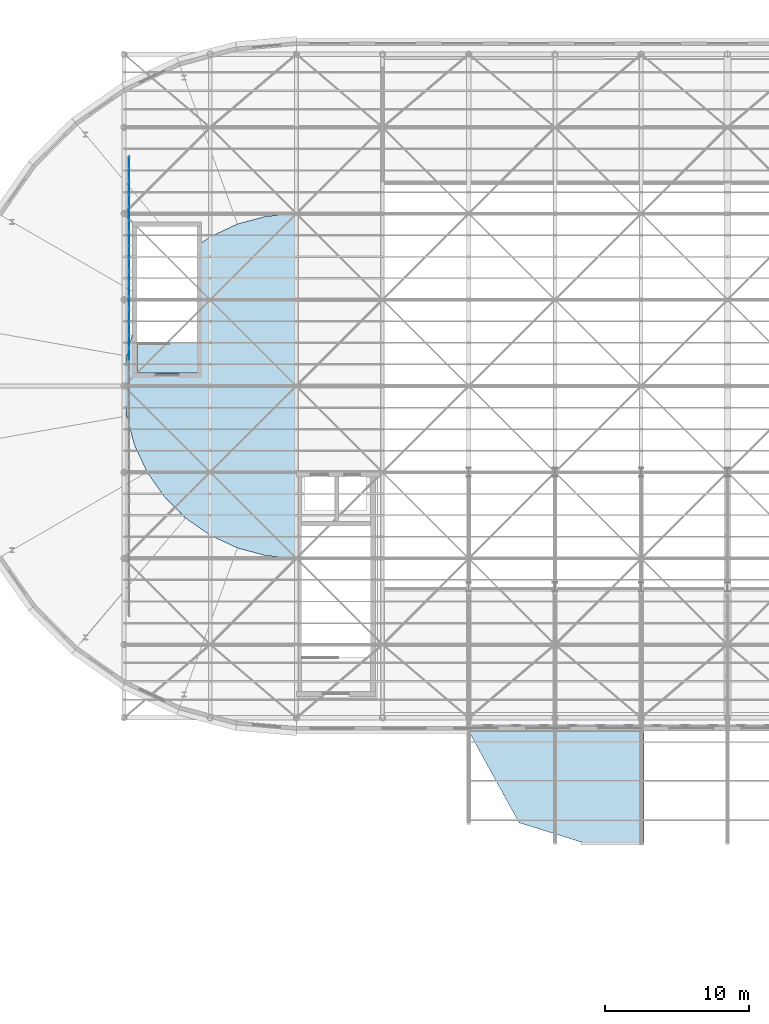
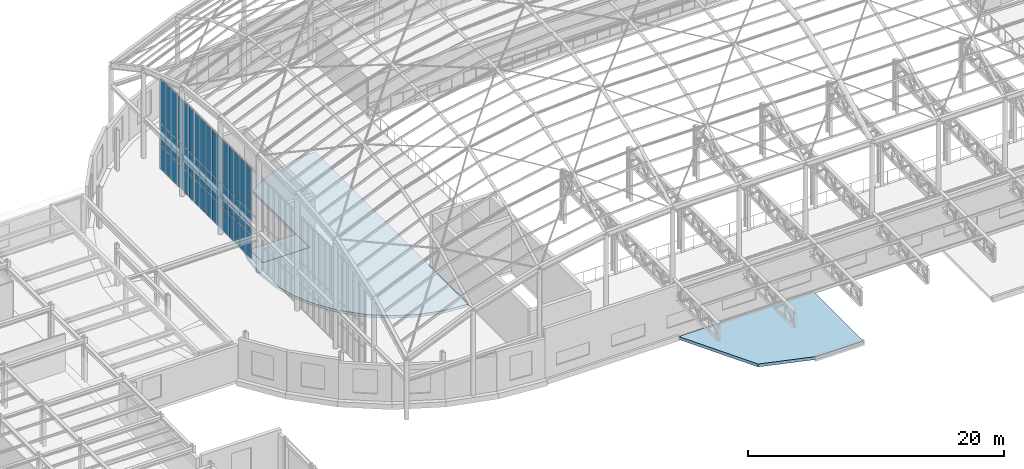
# One storey, part 53 of 75: 48 plates, 3 slabs, 6 elements without a shape of their own.
"""IFC4 building model written with IfcOpenShell, lengths in metres."""

from ifc_helpers import new_model, si_unit, direction, frame, origin, origin_2d, place, context, subcontext, project, spatial, polyline, rectangle, outline, extrude, material, layer, layer_set, type_object, element, aggregate, save


model = new_model("IFC4")

# Units and contexts
model_context = context("Model", 3, precision=1e-05, world=origin(), true_north=direction((0.0, 1.0)))
body_context = subcontext(model_context, "Body", "Model", "MODEL_VIEW")
ifc_project = project(units=[si_unit("LENGTHUNIT", "METRE"), si_unit("AREAUNIT", "SQUARE_METRE"), si_unit("VOLUMEUNIT", "CUBIC_METRE"), si_unit("PLANEANGLEUNIT", "RADIAN"), si_unit("MASSUNIT", "GRAM", prefix="KILO")], contexts=[model_context])

# Site, building, storey
site_placement = place(None, origin())
site = spatial("IfcSite", under=ifc_project, at=site_placement, CompositionType="ELEMENT")
building_placement = place(site_placement, origin())
building = spatial("IfcBuilding", under=site, at=building_placement, Name="Kolvaren Corner Interchange", CompositionType="ELEMENT")
storey_placement = place(building_placement, frame((0.0, 0.0, 10.5)))
storey = spatial("IfcBuildingStorey", under=building, at=storey_placement, Name="L03", CompositionType="ELEMENT", Elevation=10.5)

# Curtain wall, plates
ifc_material_1 = material(Name="Unitised Aluminium and Solar-Control Glass Curtain Wall", Category="aluminium")
curtain_wall_type = type_object("IfcCurtainWallType", Name="CW-V1-CLER", PredefinedType="NOTDEFINED", material=ifc_material_1)
curtain_wall_1_placement = place(storey_placement, origin())
curtain_wall_1 = element("IfcCurtainWall", 1, at=curtain_wall_1_placement, inside=storey, type_object=curtain_wall_type, Name="Gridshell West End Curtain Wall Bay 07", PredefinedType="NOTDEFINED")
ifc_material_2 = material(Name="Low-E Solar-Control Laminated Glass", Category="glass")
ifc_layer_1 = layer(ifc_material_2, 0.035888671875)
ifc_layer_set_1 = layer_set([ifc_layer_1], Name="Low-E Solar-Control Laminated Glass")
plate_type = type_object("IfcPlateType", Name="PLT-CW-GL32", PredefinedType="CURTAIN_PANEL", material=ifc_layer_set_1)
plate_1_placement = place(storey_placement, frame((48.35009765625, 50.204833984375, 0.06005859375), z_axis=(0.0, 0.0, 1.0), x_axis=(0.0, 1.0, 0.0)))
plate_1 = element("IfcPlate", 2, at=plate_1_placement, type_object=plate_type, Name="CW-088 panel 3.1", PredefinedType="CURTAIN_PANEL", context=body_context, shape_type="SweptSolid", body=[
    extrude(rectangle(XDim=0.783935546875, YDim=0.035888671875, at=origin_2d()), origin(), (0.0, 0.0, 1.0), 2.2099609375),
])
plate_2_placement = place(storey_placement, frame((48.35009765625, 50.204833984375, 2.330078125), z_axis=(0.0, 0.0, 1.0), x_axis=(0.0, 1.0, 0.0)))
plate_2 = element("IfcPlate", 3, at=plate_2_placement, type_object=plate_type, Name="CW-088 panel 3.2", PredefinedType="CURTAIN_PANEL", context=body_context, shape_type="SweptSolid", body=[
    extrude(rectangle(XDim=0.783935546875, YDim=0.035888671875, at=origin_2d()), origin(), (0.0, 0.0, 1.0), 2.0400390625),
])
plate_3_placement = place(storey_placement, frame((48.35009765625, 50.204833984375, 4.43017578125), z_axis=(0.0, 0.0, 1.0), x_axis=(0.0, 1.0, 0.0)))
plate_3 = element("IfcPlate", 4, at=plate_3_placement, type_object=plate_type, Name="CW-088 panel 3.3", PredefinedType="CURTAIN_PANEL", context=body_context, shape_type="SweptSolid", body=[
    extrude(rectangle(XDim=0.783935546875, YDim=0.035888671875, at=origin_2d()), origin(), (0.0, 0.0, 1.0), 4.281982421875),
])
aggregate(curtain_wall_1, [plate_1, plate_2, plate_3])

curtain_wall_2_placement = place(storey_placement, origin())
curtain_wall_2 = element("IfcCurtainWall", 5, at=curtain_wall_2_placement, inside=storey, type_object=curtain_wall_type, Name="Gridshell West End Curtain Wall Bay 08", PredefinedType="NOTDEFINED")
plate_4_placement = place(storey_placement, frame((48.35009765625, 51.128662109375, 0.06005859375), z_axis=(0.0, 0.0, 1.0), x_axis=(0.0, 1.0, 0.0)))
plate_4 = element("IfcPlate", 6, at=plate_4_placement, type_object=plate_type, Name="CW-089 panel 1.1", PredefinedType="CURTAIN_PANEL", context=body_context, shape_type="SweptSolid", body=[
    extrude(rectangle(XDim=0.783935546875, YDim=0.035888671875, at=origin_2d()), origin(), (0.0, 0.0, 1.0), 2.2099609375),
])
plate_5_placement = place(storey_placement, frame((48.35009765625, 51.128662109375, 2.330078125), z_axis=(0.0, 0.0, 1.0), x_axis=(0.0, 1.0, 0.0)))
plate_5 = element("IfcPlate", 7, at=plate_5_placement, type_object=plate_type, Name="CW-089 panel 1.2", PredefinedType="CURTAIN_PANEL", context=body_context, shape_type="SweptSolid", body=[
    extrude(rectangle(XDim=0.783935546875, YDim=0.035888671875, at=origin_2d()), origin(), (0.0, 0.0, 1.0), 2.0400390625),
])
plate_6_placement = place(storey_placement, frame((48.35009765625, 51.128662109375, 4.43017578125), z_axis=(0.0, 0.0, 1.0), x_axis=(0.0, 1.0, 0.0)))
plate_6 = element("IfcPlate", 8, at=plate_6_placement, type_object=plate_type, Name="CW-089 panel 1.3", PredefinedType="CURTAIN_PANEL", context=body_context, shape_type="SweptSolid", body=[
    extrude(rectangle(XDim=0.783935546875, YDim=0.035888671875, at=origin_2d()), origin(), (0.0, 0.0, 1.0), 4.281982421875),
])
plate_7_placement = place(storey_placement, frame((48.35009765625, 52.0, 0.06005859375), z_axis=(0.0, 0.0, 1.0), x_axis=(0.0, 1.0, 0.0)))
plate_7 = element("IfcPlate", 9, at=plate_7_placement, type_object=plate_type, Name="CW-089 panel 2.1", PredefinedType="CURTAIN_PANEL", context=body_context, shape_type="SweptSolid", body=[
    extrude(rectangle(XDim=0.81884765625, YDim=0.035888671875, at=origin_2d()), origin(), (0.0, 0.0, 1.0), 2.2099609375),
])
plate_8_placement = place(storey_placement, frame((48.35009765625, 52.0, 2.330078125), z_axis=(0.0, 0.0, 1.0), x_axis=(0.0, 1.0, 0.0)))
plate_8 = element("IfcPlate", 10, at=plate_8_placement, type_object=plate_type, Name="CW-089 panel 2.2", PredefinedType="CURTAIN_PANEL", context=body_context, shape_type="SweptSolid", body=[
    extrude(rectangle(XDim=0.81884765625, YDim=0.035888671875, at=origin_2d()), origin(), (0.0, 0.0, 1.0), 2.0400390625),
])
plate_9_placement = place(storey_placement, frame((48.35009765625, 52.0, 4.43017578125), z_axis=(0.0, 0.0, 1.0), x_axis=(0.0, 1.0, 0.0)))
plate_9 = element("IfcPlate", 11, at=plate_9_placement, type_object=plate_type, Name="CW-089 panel 2.3", PredefinedType="CURTAIN_PANEL", context=body_context, shape_type="SweptSolid", body=[
    extrude(rectangle(XDim=0.81884765625, YDim=0.035888671875, at=origin_2d()), origin(), (0.0, 0.0, 1.0), 4.281982421875),
])
plate_10_placement = place(storey_placement, frame((48.35009765625, 52.871337890625, 0.06005859375), z_axis=(0.0, 0.0, 1.0), x_axis=(0.0, 1.0, 0.0)))
plate_10 = element("IfcPlate", 12, at=plate_10_placement, type_object=plate_type, Name="CW-089 panel 3.1", PredefinedType="CURTAIN_PANEL", context=body_context, shape_type="SweptSolid", body=[
    extrude(rectangle(XDim=0.783935546875, YDim=0.035888671875, at=origin_2d()), origin(), (0.0, 0.0, 1.0), 2.2099609375),
])
plate_11_placement = place(storey_placement, frame((48.35009765625, 52.871337890625, 2.330078125), z_axis=(0.0, 0.0, 1.0), x_axis=(0.0, 1.0, 0.0)))
plate_11 = element("IfcPlate", 13, at=plate_11_placement, type_object=plate_type, Name="CW-089 panel 3.2", PredefinedType="CURTAIN_PANEL", context=body_context, shape_type="SweptSolid", body=[
    extrude(rectangle(XDim=0.783935546875, YDim=0.035888671875, at=origin_2d()), origin(), (0.0, 0.0, 1.0), 2.0400390625),
])
plate_12_placement = place(storey_placement, frame((48.35009765625, 52.871337890625, 4.43017578125), z_axis=(0.0, 0.0, 1.0), x_axis=(0.0, 1.0, 0.0)))
plate_12 = element("IfcPlate", 14, at=plate_12_placement, type_object=plate_type, Name="CW-089 panel 3.3", PredefinedType="CURTAIN_PANEL", context=body_context, shape_type="SweptSolid", body=[
    extrude(rectangle(XDim=0.783935546875, YDim=0.035888671875, at=origin_2d()), origin(), (0.0, 0.0, 1.0), 4.281982421875),
])
aggregate(curtain_wall_2, [plate_4, plate_5, plate_6, plate_7, plate_8, plate_9, plate_10, plate_11, plate_12])

curtain_wall_3_placement = place(storey_placement, origin())
curtain_wall_3 = element("IfcCurtainWall", 15, at=curtain_wall_3_placement, inside=storey, type_object=curtain_wall_type, Name="Gridshell West End Curtain Wall Bay 09", PredefinedType="NOTDEFINED")
plate_13_placement = place(storey_placement, frame((48.35009765625, 53.795166015625, 0.06005859375), z_axis=(0.0, 0.0, 1.0), x_axis=(0.0, 1.0, 0.0)))
plate_13 = element("IfcPlate", 16, at=plate_13_placement, type_object=plate_type, Name="CW-090 panel 1.1", PredefinedType="CURTAIN_PANEL", context=body_context, shape_type="SweptSolid", body=[
    extrude(rectangle(XDim=0.783935546875, YDim=0.035888671875, at=origin_2d()), origin(), (0.0, 0.0, 1.0), 2.2099609375),
])
plate_14_placement = place(storey_placement, frame((48.35009765625, 53.795166015625, 2.330078125), z_axis=(0.0, 0.0, 1.0), x_axis=(0.0, 1.0, 0.0)))
plate_14 = element("IfcPlate", 17, at=plate_14_placement, type_object=plate_type, Name="CW-090 panel 1.2", PredefinedType="CURTAIN_PANEL", context=body_context, shape_type="SweptSolid", body=[
    extrude(rectangle(XDim=0.783935546875, YDim=0.035888671875, at=origin_2d()), origin(), (0.0, 0.0, 1.0), 2.0400390625),
])
plate_15_placement = place(storey_placement, frame((48.35009765625, 53.795166015625, 4.43017578125), z_axis=(0.0, 0.0, 1.0), x_axis=(0.0, 1.0, 0.0)))
plate_15 = element("IfcPlate", 18, at=plate_15_placement, type_object=plate_type, Name="CW-090 panel 1.3", PredefinedType="CURTAIN_PANEL", context=body_context, shape_type="SweptSolid", body=[
    extrude(rectangle(XDim=0.783935546875, YDim=0.035888671875, at=origin_2d()), origin(), (0.0, 0.0, 1.0), 4.281982421875),
])
plate_16_placement = place(storey_placement, frame((48.35009765625, 54.666748046875, 0.06005859375), z_axis=(0.0, 0.0, 1.0), x_axis=(0.0, 1.0, 0.0)))
plate_16 = element("IfcPlate", 19, at=plate_16_placement, type_object=plate_type, Name="CW-090 panel 2.1", PredefinedType="CURTAIN_PANEL", context=body_context, shape_type="SweptSolid", body=[
    extrude(rectangle(XDim=0.81884765625, YDim=0.035888671875, at=origin_2d()), origin(), (0.0, 0.0, 1.0), 2.2099609375),
])
plate_17_placement = place(storey_placement, frame((48.35009765625, 54.666748046875, 2.330078125), z_axis=(0.0, 0.0, 1.0), x_axis=(0.0, 1.0, 0.0)))
plate_17 = element("IfcPlate", 20, at=plate_17_placement, type_object=plate_type, Name="CW-090 panel 2.2", PredefinedType="CURTAIN_PANEL", context=body_context, shape_type="SweptSolid", body=[
    extrude(rectangle(XDim=0.81884765625, YDim=0.035888671875, at=origin_2d()), origin(), (0.0, 0.0, 1.0), 2.0400390625),
])
plate_18_placement = place(storey_placement, frame((48.35009765625, 54.666748046875, 4.43017578125), z_axis=(0.0, 0.0, 1.0), x_axis=(0.0, 1.0, 0.0)))
plate_18 = element("IfcPlate", 21, at=plate_18_placement, type_object=plate_type, Name="CW-090 panel 2.3", PredefinedType="CURTAIN_PANEL", context=body_context, shape_type="SweptSolid", body=[
    extrude(rectangle(XDim=0.81884765625, YDim=0.035888671875, at=origin_2d()), origin(), (0.0, 0.0, 1.0), 4.281982421875),
])
plate_19_placement = place(storey_placement, frame((48.35009765625, 55.5380859375, 0.06005859375), z_axis=(0.0, 0.0, 1.0), x_axis=(0.0, 1.0, 0.0)))
plate_19 = element("IfcPlate", 22, at=plate_19_placement, type_object=plate_type, Name="CW-090 panel 3.1", PredefinedType="CURTAIN_PANEL", context=body_context, shape_type="SweptSolid", body=[
    extrude(rectangle(XDim=0.783935546875, YDim=0.035888671875, at=origin_2d()), origin(), (0.0, 0.0, 1.0), 2.2099609375),
])
plate_20_placement = place(storey_placement, frame((48.35009765625, 55.5380859375, 2.330078125), z_axis=(0.0, 0.0, 1.0), x_axis=(0.0, 1.0, 0.0)))
plate_20 = element("IfcPlate", 23, at=plate_20_placement, type_object=plate_type, Name="CW-090 panel 3.2", PredefinedType="CURTAIN_PANEL", context=body_context, shape_type="SweptSolid", body=[
    extrude(rectangle(XDim=0.783935546875, YDim=0.035888671875, at=origin_2d()), origin(), (0.0, 0.0, 1.0), 2.0400390625),
])
plate_21_placement = place(storey_placement, frame((48.35009765625, 55.5380859375, 4.43017578125), z_axis=(0.0, 0.0, 1.0), x_axis=(0.0, 1.0, 0.0)))
plate_21 = element("IfcPlate", 24, at=plate_21_placement, type_object=plate_type, Name="CW-090 panel 3.3", PredefinedType="CURTAIN_PANEL", context=body_context, shape_type="SweptSolid", body=[
    extrude(rectangle(XDim=0.783935546875, YDim=0.035888671875, at=origin_2d()), origin(), (0.0, 0.0, 1.0), 4.281982421875),
])
aggregate(curtain_wall_3, [plate_13, plate_14, plate_15, plate_16, plate_17, plate_18, plate_19, plate_20, plate_21])

curtain_wall_4_placement = place(storey_placement, origin())
curtain_wall_4 = element("IfcCurtainWall", 25, at=curtain_wall_4_placement, inside=storey, type_object=curtain_wall_type, Name="Gridshell West End Curtain Wall Bay 10", PredefinedType="NOTDEFINED")
plate_22_placement = place(storey_placement, frame((48.35009765625, 56.4619140625, 0.06005859375), z_axis=(0.0, 0.0, 1.0), x_axis=(0.0, 1.0, 0.0)))
plate_22 = element("IfcPlate", 26, at=plate_22_placement, type_object=plate_type, Name="CW-091 panel 1.1", PredefinedType="CURTAIN_PANEL", context=body_context, shape_type="SweptSolid", body=[
    extrude(rectangle(XDim=0.783935546875, YDim=0.035888671875, at=origin_2d()), origin(), (0.0, 0.0, 1.0), 2.2099609375),
])
plate_23_placement = place(storey_placement, frame((48.35009765625, 56.4619140625, 2.330078125), z_axis=(0.0, 0.0, 1.0), x_axis=(0.0, 1.0, 0.0)))
plate_23 = element("IfcPlate", 27, at=plate_23_placement, type_object=plate_type, Name="CW-091 panel 1.2", PredefinedType="CURTAIN_PANEL", context=body_context, shape_type="SweptSolid", body=[
    extrude(rectangle(XDim=0.783935546875, YDim=0.035888671875, at=origin_2d()), origin(), (0.0, 0.0, 1.0), 2.0400390625),
])
plate_24_placement = place(storey_placement, frame((48.35009765625, 56.4619140625, 4.43017578125), z_axis=(0.0, 0.0, 1.0), x_axis=(0.0, 1.0, 0.0)))
plate_24 = element("IfcPlate", 28, at=plate_24_placement, type_object=plate_type, Name="CW-091 panel 1.3", PredefinedType="CURTAIN_PANEL", context=body_context, shape_type="SweptSolid", body=[
    extrude(rectangle(XDim=0.783935546875, YDim=0.035888671875, at=origin_2d()), origin(), (0.0, 0.0, 1.0), 4.281982421875),
])
plate_25_placement = place(storey_placement, frame((48.35009765625, 57.333251953125, 0.06005859375), z_axis=(0.0, 0.0, 1.0), x_axis=(0.0, 1.0, 0.0)))
plate_25 = element("IfcPlate", 29, at=plate_25_placement, type_object=plate_type, Name="CW-091 panel 2.1", PredefinedType="CURTAIN_PANEL", context=body_context, shape_type="SweptSolid", body=[
    extrude(rectangle(XDim=0.81884765625, YDim=0.035888671875, at=origin_2d()), origin(), (0.0, 0.0, 1.0), 2.2099609375),
])
plate_26_placement = place(storey_placement, frame((48.35009765625, 57.333251953125, 2.330078125), z_axis=(0.0, 0.0, 1.0), x_axis=(0.0, 1.0, 0.0)))
plate_26 = element("IfcPlate", 30, at=plate_26_placement, type_object=plate_type, Name="CW-091 panel 2.2", PredefinedType="CURTAIN_PANEL", context=body_context, shape_type="SweptSolid", body=[
    extrude(rectangle(XDim=0.81884765625, YDim=0.035888671875, at=origin_2d()), origin(), (0.0, 0.0, 1.0), 2.0400390625),
])
plate_27_placement = place(storey_placement, frame((48.35009765625, 57.333251953125, 4.43017578125), z_axis=(0.0, 0.0, 1.0), x_axis=(0.0, 1.0, 0.0)))
plate_27 = element("IfcPlate", 31, at=plate_27_placement, type_object=plate_type, Name="CW-091 panel 2.3", PredefinedType="CURTAIN_PANEL", context=body_context, shape_type="SweptSolid", body=[
    extrude(rectangle(XDim=0.81884765625, YDim=0.035888671875, at=origin_2d()), origin(), (0.0, 0.0, 1.0), 4.281982421875),
])
plate_28_placement = place(storey_placement, frame((48.35009765625, 58.204833984375, 0.06005859375), z_axis=(0.0, 0.0, 1.0), x_axis=(0.0, 1.0, 0.0)))
plate_28 = element("IfcPlate", 32, at=plate_28_placement, type_object=plate_type, Name="CW-091 panel 3.1", PredefinedType="CURTAIN_PANEL", context=body_context, shape_type="SweptSolid", body=[
    extrude(rectangle(XDim=0.783935546875, YDim=0.035888671875, at=origin_2d()), origin(), (0.0, 0.0, 1.0), 2.2099609375),
])
plate_29_placement = place(storey_placement, frame((48.35009765625, 58.204833984375, 2.330078125), z_axis=(0.0, 0.0, 1.0), x_axis=(0.0, 1.0, 0.0)))
plate_29 = element("IfcPlate", 33, at=plate_29_placement, type_object=plate_type, Name="CW-091 panel 3.2", PredefinedType="CURTAIN_PANEL", context=body_context, shape_type="SweptSolid", body=[
    extrude(rectangle(XDim=0.783935546875, YDim=0.035888671875, at=origin_2d()), origin(), (0.0, 0.0, 1.0), 2.0400390625),
])
plate_30_placement = place(storey_placement, frame((48.35009765625, 58.204833984375, 4.43017578125), z_axis=(0.0, 0.0, 1.0), x_axis=(0.0, 1.0, 0.0)))
plate_30 = element("IfcPlate", 34, at=plate_30_placement, type_object=plate_type, Name="CW-091 panel 3.3", PredefinedType="CURTAIN_PANEL", context=body_context, shape_type="SweptSolid", body=[
    extrude(rectangle(XDim=0.783935546875, YDim=0.035888671875, at=origin_2d()), origin(), (0.0, 0.0, 1.0), 4.281982421875),
])
aggregate(curtain_wall_4, [plate_22, plate_23, plate_24, plate_25, plate_26, plate_27, plate_28, plate_29, plate_30])

curtain_wall_5_placement = place(storey_placement, origin())
curtain_wall_5 = element("IfcCurtainWall", 35, at=curtain_wall_5_placement, inside=storey, type_object=curtain_wall_type, Name="Gridshell West End Curtain Wall Bay 11", PredefinedType="NOTDEFINED")
plate_31_placement = place(storey_placement, frame((48.35009765625, 59.128662109375, 0.06005859375), z_axis=(0.0, 0.0, 1.0), x_axis=(0.0, 1.0, 0.0)))
plate_31 = element("IfcPlate", 36, at=plate_31_placement, type_object=plate_type, Name="CW-092 panel 1.1", PredefinedType="CURTAIN_PANEL", context=body_context, shape_type="SweptSolid", body=[
    extrude(rectangle(XDim=0.783935546875, YDim=0.035888671875, at=origin_2d()), origin(), (0.0, 0.0, 1.0), 2.2099609375),
])
plate_32_placement = place(storey_placement, frame((48.35009765625, 59.128662109375, 2.330078125), z_axis=(0.0, 0.0, 1.0), x_axis=(0.0, 1.0, 0.0)))
plate_32 = element("IfcPlate", 37, at=plate_32_placement, type_object=plate_type, Name="CW-092 panel 1.2", PredefinedType="CURTAIN_PANEL", context=body_context, shape_type="SweptSolid", body=[
    extrude(rectangle(XDim=0.783935546875, YDim=0.035888671875, at=origin_2d()), origin(), (0.0, 0.0, 1.0), 2.0400390625),
])
plate_33_placement = place(storey_placement, frame((48.35009765625, 59.128662109375, 4.43017578125), z_axis=(0.0, 0.0, 1.0), x_axis=(0.0, 1.0, 0.0)))
plate_33 = element("IfcPlate", 38, at=plate_33_placement, type_object=plate_type, Name="CW-092 panel 1.3", PredefinedType="CURTAIN_PANEL", context=body_context, shape_type="SweptSolid", body=[
    extrude(rectangle(XDim=0.783935546875, YDim=0.035888671875, at=origin_2d()), origin(), (0.0, 0.0, 1.0), 4.281982421875),
])
plate_34_placement = place(storey_placement, frame((48.35009765625, 60.0, 0.06005859375), z_axis=(0.0, 0.0, 1.0), x_axis=(0.0, 1.0, 0.0)))
plate_34 = element("IfcPlate", 39, at=plate_34_placement, type_object=plate_type, Name="CW-092 panel 2.1", PredefinedType="CURTAIN_PANEL", context=body_context, shape_type="SweptSolid", body=[
    extrude(rectangle(XDim=0.81884765625, YDim=0.035888671875, at=origin_2d()), origin(), (0.0, 0.0, 1.0), 2.2099609375),
])
plate_35_placement = place(storey_placement, frame((48.35009765625, 60.0, 2.330078125), z_axis=(0.0, 0.0, 1.0), x_axis=(0.0, 1.0, 0.0)))
plate_35 = element("IfcPlate", 40, at=plate_35_placement, type_object=plate_type, Name="CW-092 panel 2.2", PredefinedType="CURTAIN_PANEL", context=body_context, shape_type="SweptSolid", body=[
    extrude(rectangle(XDim=0.81884765625, YDim=0.035888671875, at=origin_2d()), origin(), (0.0, 0.0, 1.0), 2.0400390625),
])
plate_36_placement = place(storey_placement, frame((48.35009765625, 60.0, 4.43017578125), z_axis=(0.0, 0.0, 1.0), x_axis=(0.0, 1.0, 0.0)))
plate_36 = element("IfcPlate", 41, at=plate_36_placement, type_object=plate_type, Name="CW-092 panel 2.3", PredefinedType="CURTAIN_PANEL", context=body_context, shape_type="SweptSolid", body=[
    extrude(rectangle(XDim=0.81884765625, YDim=0.035888671875, at=origin_2d()), origin(), (0.0, 0.0, 1.0), 4.281982421875),
])
plate_37_placement = place(storey_placement, frame((48.35009765625, 60.871337890625, 0.06005859375), z_axis=(0.0, 0.0, 1.0), x_axis=(0.0, 1.0, 0.0)))
plate_37 = element("IfcPlate", 42, at=plate_37_placement, type_object=plate_type, Name="CW-092 panel 3.1", PredefinedType="CURTAIN_PANEL", context=body_context, shape_type="SweptSolid", body=[
    extrude(rectangle(XDim=0.783935546875, YDim=0.035888671875, at=origin_2d()), origin(), (0.0, 0.0, 1.0), 2.2099609375),
])
plate_38_placement = place(storey_placement, frame((48.35009765625, 60.871337890625, 2.330078125), z_axis=(0.0, 0.0, 1.0), x_axis=(0.0, 1.0, 0.0)))
plate_38 = element("IfcPlate", 43, at=plate_38_placement, type_object=plate_type, Name="CW-092 panel 3.2", PredefinedType="CURTAIN_PANEL", context=body_context, shape_type="SweptSolid", body=[
    extrude(rectangle(XDim=0.783935546875, YDim=0.035888671875, at=origin_2d()), origin(), (0.0, 0.0, 1.0), 2.0400390625),
])
plate_39_placement = place(storey_placement, frame((48.35009765625, 60.871337890625, 4.43017578125), z_axis=(0.0, 0.0, 1.0), x_axis=(0.0, 1.0, 0.0)))
plate_39 = element("IfcPlate", 44, at=plate_39_placement, type_object=plate_type, Name="CW-092 panel 3.3", PredefinedType="CURTAIN_PANEL", context=body_context, shape_type="SweptSolid", body=[
    extrude(rectangle(XDim=0.783935546875, YDim=0.035888671875, at=origin_2d()), origin(), (0.0, 0.0, 1.0), 4.281982421875),
])
aggregate(curtain_wall_5, [plate_31, plate_32, plate_33, plate_34, plate_35, plate_36, plate_37, plate_38, plate_39])

curtain_wall_6_placement = place(storey_placement, origin())
curtain_wall_6 = element("IfcCurtainWall", 45, at=curtain_wall_6_placement, inside=storey, type_object=curtain_wall_type, Name="Gridshell West End Curtain Wall Bay 12", PredefinedType="NOTDEFINED")
plate_40_placement = place(storey_placement, frame((48.35009765625, 61.795166015625, 0.06005859375), z_axis=(0.0, 0.0, 1.0), x_axis=(0.0, 1.0, 0.0)))
plate_40 = element("IfcPlate", 46, at=plate_40_placement, type_object=plate_type, Name="CW-093 panel 1.1", PredefinedType="CURTAIN_PANEL", context=body_context, shape_type="SweptSolid", body=[
    extrude(rectangle(XDim=0.783935546875, YDim=0.035888671875, at=origin_2d()), origin(), (0.0, 0.0, 1.0), 2.2099609375),
])
plate_41_placement = place(storey_placement, frame((48.35009765625, 61.795166015625, 2.330078125), z_axis=(0.0, 0.0, 1.0), x_axis=(0.0, 1.0, 0.0)))
plate_41 = element("IfcPlate", 47, at=plate_41_placement, type_object=plate_type, Name="CW-093 panel 1.2", PredefinedType="CURTAIN_PANEL", context=body_context, shape_type="SweptSolid", body=[
    extrude(rectangle(XDim=0.783935546875, YDim=0.035888671875, at=origin_2d()), origin(), (0.0, 0.0, 1.0), 2.0400390625),
])
plate_42_placement = place(storey_placement, frame((48.35009765625, 61.795166015625, 4.43017578125), z_axis=(0.0, 0.0, 1.0), x_axis=(0.0, 1.0, 0.0)))
plate_42 = element("IfcPlate", 48, at=plate_42_placement, type_object=plate_type, Name="CW-093 panel 1.3", PredefinedType="CURTAIN_PANEL", context=body_context, shape_type="SweptSolid", body=[
    extrude(rectangle(XDim=0.783935546875, YDim=0.035888671875, at=origin_2d()), origin(), (0.0, 0.0, 1.0), 4.281982421875),
])
plate_43_placement = place(storey_placement, frame((48.35009765625, 62.666748046875, 0.06005859375), z_axis=(0.0, 0.0, 1.0), x_axis=(0.0, 1.0, 0.0)))
plate_43 = element("IfcPlate", 49, at=plate_43_placement, type_object=plate_type, Name="CW-093 panel 2.1", PredefinedType="CURTAIN_PANEL", context=body_context, shape_type="SweptSolid", body=[
    extrude(rectangle(XDim=0.81884765625, YDim=0.035888671875, at=origin_2d()), origin(), (0.0, 0.0, 1.0), 2.2099609375),
])
plate_44_placement = place(storey_placement, frame((48.35009765625, 62.666748046875, 2.330078125), z_axis=(0.0, 0.0, 1.0), x_axis=(0.0, 1.0, 0.0)))
plate_44 = element("IfcPlate", 50, at=plate_44_placement, type_object=plate_type, Name="CW-093 panel 2.2", PredefinedType="CURTAIN_PANEL", context=body_context, shape_type="SweptSolid", body=[
    extrude(rectangle(XDim=0.81884765625, YDim=0.035888671875, at=origin_2d()), origin(), (0.0, 0.0, 1.0), 2.0400390625),
])
plate_45_placement = place(storey_placement, frame((48.35009765625, 62.666748046875, 4.43017578125), z_axis=(0.0, 0.0, 1.0), x_axis=(0.0, 1.0, 0.0)))
plate_45 = element("IfcPlate", 51, at=plate_45_placement, type_object=plate_type, Name="CW-093 panel 2.3", PredefinedType="CURTAIN_PANEL", context=body_context, shape_type="SweptSolid", body=[
    extrude(rectangle(XDim=0.81884765625, YDim=0.035888671875, at=origin_2d()), origin(), (0.0, 0.0, 1.0), 4.281982421875),
])
plate_46_placement = place(storey_placement, frame((48.35009765625, 63.5380859375, 0.06005859375), z_axis=(0.0, 0.0, 1.0), x_axis=(0.0, 1.0, 0.0)))
plate_46 = element("IfcPlate", 52, at=plate_46_placement, type_object=plate_type, Name="CW-093 panel 3.1", PredefinedType="CURTAIN_PANEL", context=body_context, shape_type="SweptSolid", body=[
    extrude(rectangle(XDim=0.783935546875, YDim=0.035888671875, at=origin_2d()), origin(), (0.0, 0.0, 1.0), 2.2099609375),
])
plate_47_placement = place(storey_placement, frame((48.35009765625, 63.5380859375, 2.330078125), z_axis=(0.0, 0.0, 1.0), x_axis=(0.0, 1.0, 0.0)))
plate_47 = element("IfcPlate", 53, at=plate_47_placement, type_object=plate_type, Name="CW-093 panel 3.2", PredefinedType="CURTAIN_PANEL", context=body_context, shape_type="SweptSolid", body=[
    extrude(rectangle(XDim=0.783935546875, YDim=0.035888671875, at=origin_2d()), origin(), (0.0, 0.0, 1.0), 2.0400390625),
])
plate_48_placement = place(storey_placement, frame((48.35009765625, 63.5380859375, 4.43017578125), z_axis=(0.0, 0.0, 1.0), x_axis=(0.0, 1.0, 0.0)))
plate_48 = element("IfcPlate", 54, at=plate_48_placement, type_object=plate_type, Name="CW-093 panel 3.3", PredefinedType="CURTAIN_PANEL", context=body_context, shape_type="SweptSolid", body=[
    extrude(rectangle(XDim=0.783935546875, YDim=0.035888671875, at=origin_2d()), origin(), (0.0, 0.0, 1.0), 4.281982421875),
])
aggregate(curtain_wall_6, [plate_40, plate_41, plate_42, plate_43, plate_44, plate_45, plate_46, plate_47, plate_48])

# Slabs
ifc_material_3 = material(Name="White Glazed Terracotta Concrete C35/45", Category="masonry")
ifc_layer_2 = layer(ifc_material_3, 0.280029296875)
ifc_layer_set_2 = layer_set([ifc_layer_2], Name="White Glazed Terracotta Concrete C35/45")
slab_type_1 = type_object("IfcSlabType", Name="SL-BAND-280", PredefinedType="ROOF", material=ifc_layer_set_2)
slab_1_placement = place(storey_placement, frame((0.0, 0.0, -0.280029296875)))
element("IfcSlab", 55, at=slab_1_placement, inside=storey, type_object=slab_type_1, Name="South Entrance Portal Level 03 West Parted Cantilever Band Slab", PredefinedType="ROOF", context=body_context, shape_type="SweptSolid", body=[
    extrude(outline(polyline([(84.199951171875, 23.9599609375), (72.0, 23.9599609375), (75.5, 17.60009765625), (80.0, 16.199951171875), (84.199951171875, 16.199951171875), (84.199951171875, 23.9599609375)])), origin(), (0.0, 0.0, 1.0), 0.280029296875),
])
ifc_material_4 = material(Name="Concrete C35/45", Category="concrete")
ifc_layer_3 = layer(ifc_material_4, 0.25)
ifc_layer_set_3 = layer_set([ifc_layer_3], Name="Concrete C35/45")
slab_type_2 = type_object("IfcSlabType", Name="SL-COMP-250", PredefinedType="FLOOR", material=ifc_layer_set_3)
slab_2_placement = place(storey_placement, frame((0.0, 0.0, -0.25)))
element("IfcSlab", 56, at=slab_2_placement, inside=storey, type_object=slab_type_2, Name="Level 03 Racetrack West Inner Sky Gallery Slab", PredefinedType="FLOOR", context=body_context, shape_type="SweptSolid", body=[
    extrude(outline(polyline([(60.0, 60.0), (57.916259765625, 59.817626953125), (55.895751953125, 59.2763671875), (54.0, 58.392333984375), (53.10009765625, 57.76220703125), (53.10009765625, 48.89990234375), (48.89990234375, 48.89990234375), (48.89990234375, 52.482421875), (48.7236328125, 52.104248046875), (48.182373046875, 50.083740234375), (48.0, 48.0), (48.182373046875, 45.916259765625), (48.7236328125, 43.895751953125), (49.607666015625, 42.0), (50.8076171875, 40.28662109375), (52.28662109375, 38.8076171875), (54.0, 37.607666015625), (55.895751953125, 36.7236328125), (57.916259765625, 36.182373046875), (60.0, 36.0), (60.0, 48.0), (60.0, 60.0)])), origin(), (0.0, 0.0, 1.0), 0.25),
])
ifc_material_5 = material(Name="Concrete C35/45", Category="concrete")
ifc_layer_4 = layer(ifc_material_5, 0.199951171875)
ifc_layer_set_4 = layer_set([ifc_layer_4], Name="Concrete C35/45")
slab_type_3 = type_object("IfcSlabType", Name="SL-STAIR-LAND200", PredefinedType="LANDING", material=ifc_layer_set_4)
slab_3_placement = place(storey_placement, frame((0.0, 0.0, -0.199951171875)))
element("IfcSlab", 57, at=slab_3_placement, inside=storey, type_object=slab_type_3, Name="West Racetrack Concourse Gallery Stair L03 Floor Arrival Landing Slab", PredefinedType="LANDING", context=body_context, shape_type="SweptSolid", body=[
    extrude(outline(polyline([(53.10009765625, 48.89990234375), (53.10009765625, 51.0), (48.89990234375, 51.0), (48.89990234375, 48.89990234375), (53.10009765625, 48.89990234375)])), origin(), (0.0, 0.0, 1.0), 0.199951171875),
])

save(model, "model.ifc")
